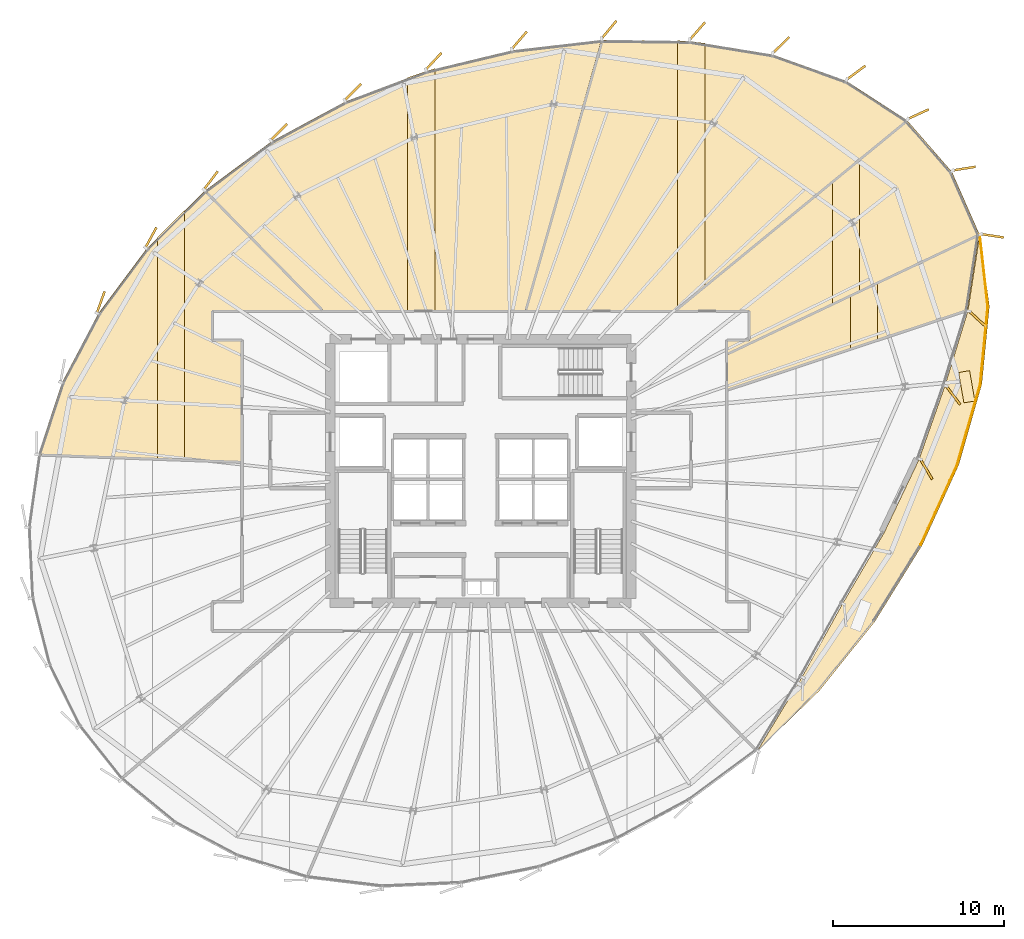
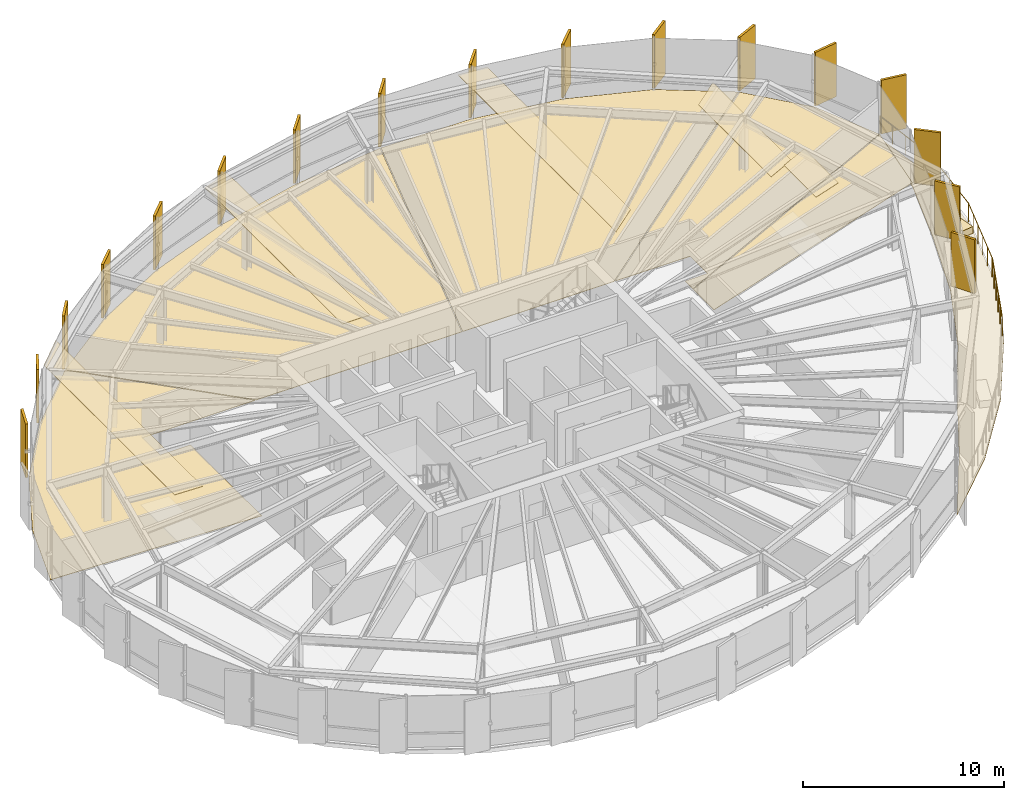
# One storey, part 36 of 36: 29 coverings, 4 railings.
"""IFC4 building model written with IfcOpenShell, lengths in metres."""

from ifc_helpers import new_model, si_unit, direction, frame, origin, origin_2d, place, context, subcontext, project, spatial, polyline, rectangle, circle, outline, extrude, source, transform, mapped, material, layer, layer_set, type_object, element, save


model = new_model("IFC4")

# Units and contexts
model_context = context("Model", 3, precision=1e-05, world=origin(), true_north=direction((0.0, 1.0)))
body_context = subcontext(model_context, "Body", "Model", "MODEL_VIEW")
ifc_project = project(units=[si_unit("LENGTHUNIT", "METRE"), si_unit("AREAUNIT", "SQUARE_METRE"), si_unit("VOLUMEUNIT", "CUBIC_METRE"), si_unit("PLANEANGLEUNIT", "RADIAN"), si_unit("MASSUNIT", "GRAM", prefix="KILO"), si_unit("THERMODYNAMICTEMPERATUREUNIT", "KELVIN")], contexts=[model_context])

# Site, building, storey
site_placement = place(None, origin())
site = spatial("IfcSite", under=ifc_project, at=site_placement, CompositionType="ELEMENT")
building_placement = place(site_placement, origin())
building = spatial("IfcBuilding", under=site, at=building_placement, Name="Kethvar Cultural Tower", CompositionType="ELEMENT")
storey_placement = place(building_placement, frame((0.0, 0.0, 164.300048828125)))
storey = spatial("IfcBuildingStorey", under=building, at=storey_placement, Name="L42", CompositionType="ELEMENT", Elevation=164.300048828125)

# Coverings
ifc_material_1 = material(Name="Acoustic Mineral Fibre Ceiling")
ifc_layer_1 = layer(ifc_material_1, 0.0400390625, Name="Acoustic Mineral Fibre Ceiling")
ifc_layer_set_1 = layer_set([ifc_layer_1], Name="Acoustic Mineral Fibre Ceiling (40 mm)")
covering_type_1 = type_object("IfcCoveringType", Name="CV-ACOUSTIC-CEIL", PredefinedType="CEILING", material=ifc_layer_set_1)
covering_1_placement = place(storey_placement, frame((0.0, 0.0, 2.889892578125)))
element("IfcCovering", 1, at=covering_1_placement, inside=storey, type_object=covering_type_1, Name="L42 Room 05 Acoustic Ceiling Panel", PredefinedType="CEILING", context=body_context, shape_type="SweptSolid", body=[
    extrude(outline(polyline([(68.41796875, 34.87744140625), (68.41796875, 38.06298828125), (70.0078125, 38.816162109375), (70.0078125, 35.3994140625), (68.41796875, 34.87744140625)])), origin(), (0.0, 0.0, 1.0), 0.0400390625),
])
covering_2_placement = place(storey_placement, frame((0.0, 0.0, 2.889892578125)))
element("IfcCovering", 2, at=covering_2_placement, inside=storey, type_object=covering_type_1, Name="L42 Room 06 Acoustic Ceiling Panel", PredefinedType="CEILING", context=body_context, shape_type="SweptSolid", body=[
    extrude(outline(polyline([(67.365966796875, 37.5205078125), (67.365966796875, 44.750244140625), (68.955810546875, 46.05859375), (68.955810546875, 38.273681640625), (67.365966796875, 37.5205078125)])), origin(), (0.0, 0.0, 1.0), 0.0400390625),
])
covering_3_placement = place(storey_placement, frame((0.0, 0.0, 2.889892578125)))
element("IfcCovering", 3, at=covering_3_placement, inside=storey, type_object=covering_type_1, Name="L42 Room 07 Acoustic Ceiling Panel", PredefinedType="CEILING", context=body_context, shape_type="SweptSolid", body=[
    extrude(outline(polyline([(58.314697265625, 52.96826171875), (59.90478515625, 52.817138671875), (59.90478515625, 38.558349609375), (58.314697265625, 37.25), (58.314697265625, 52.96826171875)])), origin(), (0.0, 0.0, 1.0), 0.0400390625),
])
covering_4_placement = place(storey_placement, frame((0.0, 0.0, 2.889892578125)))
element("IfcCovering", 4, at=covering_4_placement, inside=storey, type_object=covering_type_1, Name="L42 Room 08 Acoustic Ceiling Panel", PredefinedType="CEILING", context=body_context, shape_type="SweptSolid", body=[
    extrude(outline(polyline([(42.5361328125, 50.800537109375), (44.126220703125, 51.330810546875), (44.126220703125, 37.1298828125), (42.5361328125, 37.1298828125), (42.5361328125, 50.800537109375)])), origin(), (0.0, 0.0, 1.0), 0.0400390625),
])
covering_5_placement = place(storey_placement, frame((0.0, 0.0, 2.889892578125)))
element("IfcCovering", 5, at=covering_5_placement, inside=storey, type_object=covering_type_1, Name="L42 Room 09 Acoustic Ceiling Panel", PredefinedType="CEILING", context=body_context, shape_type="SweptSolid", body=[
    extrude(outline(polyline([(29.49267578125, 43.046630859375), (29.49267578125, 28.421630859375), (27.902587890625, 28.48046875), (27.902587890625, 41.46826171875), (29.49267578125, 43.046630859375)])), origin(), (0.0, 0.0, 1.0), 0.0400390625),
])
ifc_material_2 = material(Name="Architectural Oak Timber", Category="wood")
ifc_layer_2 = layer(ifc_material_2, 0.02490234375, Name="Architectural Oak Timber", Category="wood")
ifc_layer_set_2 = layer_set([ifc_layer_2], Name="Architectural Oak Timber (25 mm)")
covering_type_2 = type_object("IfcCoveringType", Name="CV-OAK-FLOOR", PredefinedType="FLOORING", material=ifc_layer_set_2)
covering_6_placement = place(storey_placement, origin())
element("IfcCovering", 6, at=covering_6_placement, inside=storey, type_object=covering_type_2, Name="L42 Room 05 Floor Finish", PredefinedType="FLOORING", context=body_context, shape_type="SweptSolid", body=[
    extrude(outline(polyline([(75.264404296875, 37.167724609375), (61.219970703125, 32.555908203125), (61.219970703125, 34.60888671875), (75.951904296875, 41.587890625), (75.264404296875, 37.167724609375)])), origin(), (0.0, 0.0, 1.0), 0.02490234375),
])
covering_7_placement = place(storey_placement, origin())
element("IfcCovering", 7, at=covering_7_placement, inside=storey, type_object=covering_type_2, Name="L42 Room 06 Floor Finish", PredefinedType="FLOORING", context=body_context, shape_type="SweptSolid", body=[
    extrude(outline(polyline([(74.345947265625, 45.28125), (75.951416015625, 41.631591796875), (61.219970703125, 34.6533203125), (61.219970703125, 35.429931640625), (62.517578125, 35.440673828125), (62.5126953125, 37.16552734375), (58.217529296875, 37.169921875), (71.7275390625, 48.28759765625), (74.345947265625, 45.28125)])), origin(), (0.0, 0.0, 1.0), 0.02490234375),
])
covering_8_placement = place(storey_placement, origin())
element("IfcCovering", 8, at=covering_8_placement, inside=storey, type_object=covering_type_2, Name="L42 Room 07 Floor Finish", PredefinedType="FLOORING", context=body_context, shape_type="SweptSolid", body=[
    extrude(outline(polyline([(59.02783203125, 52.9189453125), (63.86865234375, 52.13330078125), (68.169189453125, 50.595458984375), (71.696044921875, 48.313720703125), (58.154541015625, 37.169921875), (49.45458984375, 37.169921875), (53.900146484375, 52.986328125), (59.02783203125, 52.9189453125)])), origin(), (0.0, 0.0, 1.0), 0.02490234375),
])
covering_9_placement = place(storey_placement, origin())
element("IfcCovering", 9, at=covering_9_placement, inside=storey, type_object=covering_type_2, Name="L42 Room 08 Floor Finish", PredefinedType="FLOORING", context=body_context, shape_type="SweptSolid", body=[
    extrude(outline(polyline([(34.57958984375, 47.05615234375), (38.896484375, 49.38525390625), (43.630615234375, 51.17041015625), (48.6826171875, 52.385986328125), (53.85791015625, 52.983154296875), (49.412841796875, 37.169921875), (37.607666015625, 37.169921875), (30.70263671875, 44.18701171875), (34.57958984375, 47.05615234375)])), origin(), (0.0, 0.0, 1.0), 0.02490234375),
])
covering_10_placement = place(storey_placement, origin())
element("IfcCovering", 10, at=covering_10_placement, inside=storey, type_object=covering_type_2, Name="L42 Room 09 Floor Finish", PredefinedType="FLOORING", context=body_context, shape_type="SweptSolid", body=[
    extrude(outline(polyline([(20.955322265625, 28.778076171875), (22.3369140625, 32.9658203125), (24.469482421875, 37.020263671875), (27.28076171875, 40.794677734375), (30.672119140625, 44.1611328125), (37.551513671875, 37.169921875), (31.08251953125, 37.159423828125), (31.0859375, 35.435791015625), (32.830078125, 35.429931640625), (32.830078125, 28.337890625), (20.955322265625, 28.778076171875)])), origin(), (0.0, 0.0, 1.0), 0.02490234375),
])
ifc_material_3 = material(Name="Insulated Waterproofing Membrane")
ifc_layer_3 = layer(ifc_material_3, 0.06005859375, Name="Insulated Waterproofing Membrane")
ifc_layer_set_3 = layer_set([ifc_layer_3], Name="Insulated Waterproofing Membrane (60 mm)")
covering_type_3 = type_object("IfcCoveringType", Name="CV-ROOF-MEMB", PredefinedType="ROOFING", material=ifc_layer_set_3)
covering_11_placement = place(storey_placement, frame((0.0, 0.0, -0.275146484375)))
element("IfcCovering", 11, at=covering_11_placement, inside=storey, type_object=covering_type_3, Name="L42 Terrace Waterproofing", PredefinedType="ROOFING", context=body_context, shape_type="SweptSolid", body=[
    extrude(outline(polyline([(62.978759765625, 11.44287109375), (66.61181640625, 14.968017578125), (69.864013671875, 19.023681640625), (72.624267578125, 23.478515625), (74.75341796875, 28.161865234375), (76.104736328125, 32.879638671875), (76.544921875, 37.429931640625), (75.9775390625, 41.6220703125), (75.282470703125, 37.152587890625), (73.944580078125, 32.789306640625), (72.424072265625, 28.47265625), (70.38427734375, 24.18896484375), (67.947998046875, 20.025390625), (65.587646484375, 15.756591796875), (62.978759765625, 11.44287109375)])), origin(), (0.0, 0.0, 1.0), 0.06005859375),
])

# Railings
ifc_material_4 = material(Name="Steel S355J2", Category="steel")
railing_type = type_object("IfcRailingType", Name="RL-EXT-GUARD-1150", PredefinedType="BALUSTRADE", material=ifc_material_4)
railing_1_placement = place(storey_placement, frame((72.525634765625, 23.494873046875, 0.0)))
element("IfcRailing", 12, at=railing_1_placement, inside=storey, type_object=railing_type, Name="L42 Spiralling Terrace Balustrade 04", PredefinedType="BALUSTRADE", context=body_context, shape_type="SweptSolid", body=[
    extrude(circle(Radius=0.02392578125, at=origin_2d()), frame((0.0, 0.0, 1.1259765625), z_axis=(0.414914605061, 0.909860357696, 0.0), x_axis=(-0.909860357696, 0.414914605061, 0.0)), (0.0, 0.0, 1.0), 5.1279296875),
    extrude(circle(Radius=0.02099609375, at=origin_2d()), origin(), (0.0, 0.0, 1.0), 1.101806640625),
    extrude(circle(Radius=0.02099609375, at=origin_2d()), frame((0.425537109375, 0.93310546875, 0.0)), (0.0, 0.0, 1.0), 1.101806640625),
    extrude(circle(Radius=0.02099609375, at=origin_2d()), frame((0.85107421875, 1.8662109375, 0.0)), (0.0, 0.0, 1.0), 1.101806640625),
    extrude(circle(Radius=0.02099609375, at=origin_2d()), frame((1.276611328125, 2.799560546875, 0.0)), (0.0, 0.0, 1.0), 1.101806640625),
    extrude(circle(Radius=0.02099609375, at=origin_2d()), frame((1.7021484375, 3.732666015625, 0.0)), (0.0, 0.0, 1.0), 1.101806640625),
    extrude(circle(Radius=0.02099609375, at=origin_2d()), frame((2.127685546875, 4.665771484375, 0.0)), (0.0, 0.0, 1.0), 1.101806640625),
])
railing_2_placement = place(storey_placement, frame((74.6533203125, 28.16064453125, 0.0)))
element("IfcRailing", 13, at=railing_2_placement, inside=storey, type_object=railing_type, Name="L42 Spiralling Terrace Balustrade 05", PredefinedType="BALUSTRADE", context=body_context, shape_type="SweptSolid", body=[
    extrude(circle(Radius=0.02392578125, at=origin_2d()), frame((0.0, 0.0, 1.1259765625), z_axis=(0.276493507858, 0.961015785569, 0.0), x_axis=(-0.961015785569, 0.276493507858, 0.0)), (0.0, 0.0, 1.0), 4.892578125),
    extrude(circle(Radius=0.02099609375, at=origin_2d()), origin(), (0.0, 0.0, 1.0), 1.101806640625),
    extrude(circle(Radius=0.02099609375, at=origin_2d()), frame((0.2705078125, 0.9404296875, 0.0)), (0.0, 0.0, 1.0), 1.101806640625),
    extrude(circle(Radius=0.02099609375, at=origin_2d()), frame((0.541015625, 1.880859375, 0.0)), (0.0, 0.0, 1.0), 1.101806640625),
    extrude(circle(Radius=0.02099609375, at=origin_2d()), frame((0.811767578125, 2.821044921875, 0.0)), (0.0, 0.0, 1.0), 1.101806640625),
    extrude(circle(Radius=0.02099609375, at=origin_2d()), frame((1.082275390625, 3.761474609375, 0.0)), (0.0, 0.0, 1.0), 1.101806640625),
    extrude(circle(Radius=0.02099609375, at=origin_2d()), frame((1.352783203125, 4.701904296875, 0.0)), (0.0, 0.0, 1.0), 1.101806640625),
])
railing_3_placement = place(storey_placement, frame((76.006103515625, 32.862548828125, 0.0)))
element("IfcRailing", 14, at=railing_3_placement, inside=storey, type_object=railing_type, Name="L42 Spiralling Terrace Balustrade 06", PredefinedType="BALUSTRADE", context=body_context, shape_type="SweptSolid", body=[
    extrude(circle(Radius=0.02392578125, at=origin_2d()), frame((0.0, 0.0, 1.1259765625), z_axis=(0.097318652422, 0.995253274243, 0.0), x_axis=(-0.995253274243, 0.097318652422, 0.0)), (0.0, 0.0, 1.0), 4.558349609375),
    extrude(circle(Radius=0.02099609375, at=origin_2d()), origin(), (0.0, 0.0, 1.0), 1.101806640625),
    extrude(circle(Radius=0.02099609375, at=origin_2d()), frame((0.11083984375, 1.13427734375, 0.0)), (0.0, 0.0, 1.0), 1.101806640625),
    extrude(circle(Radius=0.02099609375, at=origin_2d()), frame((0.2216796875, 2.268310546875, 0.0)), (0.0, 0.0, 1.0), 1.101806640625),
    extrude(circle(Radius=0.02099609375, at=origin_2d()), frame((0.332763671875, 3.40234375, 0.0)), (0.0, 0.0, 1.0), 1.101806640625),
    extrude(circle(Radius=0.02099609375, at=origin_2d()), frame((0.443603515625, 4.53662109375, 0.0)), (0.0, 0.0, 1.0), 1.101806640625),
])
railing_4_placement = place(storey_placement, frame((76.44970703125, 37.399169921875, 0.0)))
element("IfcRailing", 15, at=railing_4_placement, inside=storey, type_object=railing_type, Name="L42 Spiralling Terrace Balustrade 07", PredefinedType="BALUSTRADE", context=body_context, shape_type="SweptSolid", body=[
    extrude(circle(Radius=0.02392578125, at=origin_2d()), frame((0.0, 0.0, 1.1259765625), z_axis=(-0.111118863178, 0.993807123262, 0.0), x_axis=(-0.993807123262, -0.111118863178, 0.0)), (0.0, 0.0, 1.0), 4.249267578125),
    extrude(circle(Radius=0.02099609375, at=origin_2d()), origin(), (0.0, 0.0, 1.0), 1.101806640625),
    extrude(circle(Radius=0.02099609375, at=origin_2d()), frame((-0.1181640625, 1.0556640625, 0.0)), (0.0, 0.0, 1.0), 1.101806640625),
    extrude(circle(Radius=0.02099609375, at=origin_2d()), frame((-0.236083984375, 2.111328125, 0.0)), (0.0, 0.0, 1.0), 1.101806640625),
    extrude(circle(Radius=0.02099609375, at=origin_2d()), frame((-0.35400390625, 3.167236328125, 0.0)), (0.0, 0.0, 1.0), 1.101806640625),
    extrude(circle(Radius=0.02099609375, at=origin_2d()), frame((-0.47216796875, 4.222900390625, 0.0)), (0.0, 0.0, 1.0), 1.101806640625),
])

# Coverings
ifc_material_5 = material(Name="Extruded Architectural Terracotta", Category="masonry")
ifc_layer_4 = layer(ifc_material_5, 0.419921875, Name="Extruded Architectural Terracotta", Category="masonry")
ifc_layer_set_4 = layer_set([ifc_layer_4], Name="Extruded Architectural Terracotta (420 mm)")
covering_type_4 = type_object("IfcCoveringType", Name="Terracotta Terrace Planter PLANTER-01", PredefinedType="USERDEFINED", material=ifc_layer_set_4)
shared_shape_1 = source(origin(), body_context, "Body", "SweptSolid", [
    extrude(rectangle(XDim=1.800048828125, YDim=0.64990234375, at=origin_2d()), origin(), (0.0, 0.0, 1.0), 0.419921875),
])
covering_12_placement = place(storey_placement, frame((75.218017578125, 32.72607421875, 0.0), z_axis=(0.0, 0.0, 1.0), x_axis=(-0.17072543418, 0.985318641925, 0.0)))
element("IfcCovering", 16, at=covering_12_placement, inside=storey, type_object=covering_type_4, Name="L42 Sky Terrace Planter Box B", ObjectType="PLANTER", PredefinedType="USERDEFINED", context=body_context, shape_type="MappedRepresentation", body=[
    mapped(shared_shape_1, transform((0.0, 0.0, 0.0), scale=1.0)),
])
ifc_layer_5 = layer(ifc_material_5, 0.135009765625, Name="Extruded Architectural Terracotta", Category="masonry")
ifc_layer_set_5 = layer_set([ifc_layer_5], Name="Extruded Architectural Terracotta (135 mm)")
covering_type_5 = type_object("IfcCoveringType", Name="Terracotta Facade Fin FIN-02", PredefinedType="CLADDING", material=ifc_layer_set_5)
shared_shape_2 = source(origin(), body_context, "Body", "SweptSolid", [
    extrude(rectangle(XDim=1.35009765625, YDim=0.135009765625, at=origin_2d()), origin(), (0.0, 0.0, 1.0), 3.260009765625),
])
for number, where, z_axis, x_axis, name in (
    (17, (75.064208984375, 45.480224609375, 0.02001953125), (0.0, 0.0, 1.0), (0.987551449705, 0.157296326041, 0.0), "L42 Vertical Terracotta Fin 1.1"),
    (18, (72.38671875, 48.664306640625, 0.02001953125), (0.0, 0.0, 1.0), (0.908726847669, 0.417391322773, 0.0), "L42 Vertical Terracotta Fin 1.2"),
    (19, (68.74755859375, 51.0908203125, 0.02001953125), (0.0, 0.0, 1.0), (0.803545301958, 0.595243603663, 0.0), "L42 Vertical Terracotta Fin 1.3"),
    (20, (64.368408203125, 52.704345703125, 0.02001953125), (0.0, 0.0, 1.0), (0.713984048402, 0.700161965996, 0.0), "L42 Vertical Terracotta Fin 1.4"),
    (21, (59.474853515625, 53.527099609375, 0.02001953125), (0.0, 0.0, 1.0), (0.658164014943, 0.752874577493, 0.0), "L42 Vertical Terracotta Fin 1.5"),
    (22, (54.3076171875, 53.604736328125, 0.02001953125), (0.0, 0.0, 1.0), (0.639573180455, 0.768730217204, 0.0), "L42 Vertical Terracotta Fin 1.6"),
    (23, (49.063232421875, 52.985595703125, 0.02001953125), (0.0, 0.0, 1.0), (0.653024152754, 0.757337082097, 0.0), "L42 Vertical Terracotta Fin 2.1"),
    (24, (44.056640625, 51.75830078125, 0.02001953125), (0.0, 0.0, 1.0), (0.681743027916, 0.731591719395, 0.0), "L42 Vertical Terracotta Fin 2.2"),
    (25, (39.3291015625, 49.94970703125, 0.02001953125), (0.0, 0.0, 1.0), (0.70944774386, 0.704758042687, 0.0), "L42 Vertical Terracotta Fin 2.3"),
    (26, (35.002685546875, 47.610595703125, 0.02001953125), (0.0, 0.0, 1.0), (0.713128106547, 0.701033739311, 0.0), "L42 Vertical Terracotta Fin 2.4"),
    (27, (31.02392578125, 44.78369140625, 0.02001953125), (0.0, 0.0, 1.0), (0.60473812635, 0.796424383441, 0.0), "L42 Vertical Terracotta Fin 2.5"),
    (28, (27.525390625, 41.44775390625, 0.02001953125), (0.0, 0.0, 1.0), (0.479917286421, 0.877313739887, 0.0), "L42 Vertical Terracotta Fin 2.6"),
    (29, (24.59130859375, 37.669189453125, 0.02001953125), (0.0, 0.0, 1.0), (0.337752446654, 0.941234978514, 0.0), "L42 Vertical Terracotta Fin 3.1"),
    (30, (72.856201171875, 27.90185546875, 0.02001953125), (0.0, 0.0, 1.0), (0.50919163582, -0.860653169407, 0.0), "L42 Vertical Terracotta Fin 7.1"),
    (31, (74.42578125, 32.2255859375, 0.02001953125), (0.0, 0.0, 1.0), (0.599582468446, -0.800312978486, 0.0), "L42 Vertical Terracotta Fin 7.2"),
    (32, (75.8583984375, 36.68359375, 0.02001953125), (0.0, 0.0, 1.0), (0.736333316555, -0.676618982095, 0.0), "L42 Vertical Terracotta Fin 7.3"),
    (33, (76.718017578125, 41.55224609375, 0.02001953125), (0.0, 0.0, 1.0), (0.988520271746, -0.151088293215, 0.0), "L42 Vertical Terracotta Fin 7.4"),
):
    element("IfcCovering", number, at=place(storey_placement, frame(where, z_axis=z_axis, x_axis=x_axis)), inside=storey, type_object=covering_type_5, Name=name, PredefinedType="CLADDING", context=body_context, shape_type="MappedRepresentation", body=[
        mapped(shared_shape_2, transform((0.0, 0.0, 0.0), scale=1.0)),
    ])

save(model, "model.ifc")
